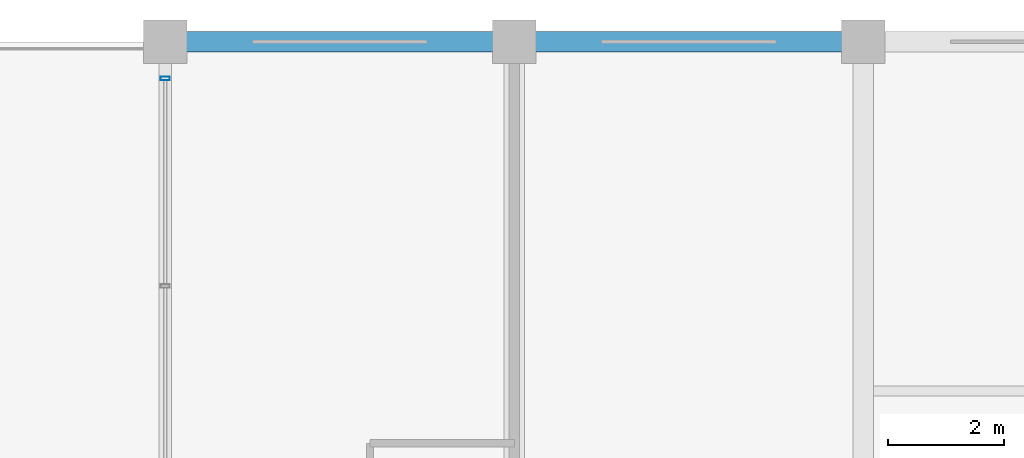
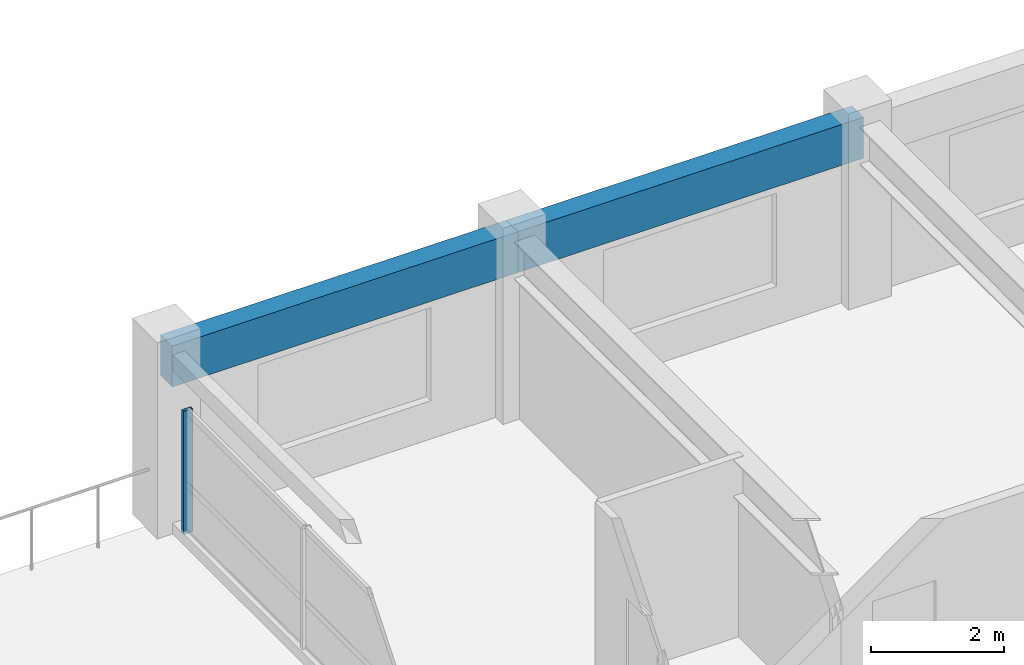
# One storey, part 13 of 21: 2 beams, 1 member, 1 element without a shape of its own.
"""IFC4 building model written with IfcOpenShell, lengths in metres."""

from ifc_helpers import new_model, si_unit, direction, frame, origin, origin_2d, place, context, subcontext, project, spatial, rectangle, hollow_rectangle, extrude, material, material_profile, profile_set, type_object, element, aggregate, save


model = new_model("IFC4")

# Units and contexts
model_context = context("Model", 3, precision=1e-05, world=origin(), true_north=direction((0.0, 1.0)))
body_context = subcontext(model_context, "Body", "Model", "MODEL_VIEW")
ifc_project = project(units=[si_unit("LENGTHUNIT", "METRE"), si_unit("AREAUNIT", "SQUARE_METRE"), si_unit("VOLUMEUNIT", "CUBIC_METRE"), si_unit("PLANEANGLEUNIT", "RADIAN"), si_unit("MASSUNIT", "GRAM", prefix="KILO")], contexts=[model_context])

# Site, building, storey
site_placement = place(None, origin())
site = spatial("IfcSite", under=ifc_project, at=site_placement, CompositionType="ELEMENT")
building_placement = place(site_placement, origin())
building = spatial("IfcBuilding", under=site, at=building_placement, Name="Kaldorvane Square Convention Centre", CompositionType="ELEMENT")
storey_placement = place(building_placement, frame((0.0, 0.0, 49.19999694824219)))
storey = spatial("IfcBuildingStorey", under=building, at=storey_placement, Name="L11", CompositionType="ELEMENT", Elevation=49.19999694824219)

# Beams
ifc_material_1 = material(Name="Concrete f'c = 42 MPa (Normalweight)", Category="concrete")
ifc_material_profile_1 = material_profile(ifc_material_1, rectangle(XDim=0.350006103515625, YDim=0.75, at=origin_2d()), Name="RCSP750X350")
ifc_profile_set_1 = profile_set([ifc_material_profile_1], Name="Concrete f'c = 42 MPa (Normalweight)")
beam_type = type_object("IfcBeamType", Name="BM-SP-RC750", PredefinedType="SPANDREL", material=ifc_profile_set_1)
for number, where, z_axis, x_axis, name in (
    (1, (30.0, 117.0, 2.9109954833984375), (1.0, 0.0, 0.0), (0.0, 1.0, 0.0), "Perimeter Spandrel (L11)"),
    (2, (36.0, 117.0, 2.9109954833984375), (1.0, 0.0, 0.0), (0.0, 1.0, 0.0), "Perimeter Spandrel (L11)"),
):
    element("IfcBeam", number, at=place(storey_placement, frame(where, z_axis=z_axis, x_axis=x_axis)), inside=storey, type_object=beam_type, Name=name, PredefinedType="SPANDREL", context=body_context, shape_type="SweptSolid", body=[
        extrude(rectangle(XDim=0.350006103515625, YDim=0.75, at=origin_2d()), origin(), (0.0, 0.0, 1.0), 6.0),
    ])

# Curtain wall, member
ifc_material_2 = material(Name="Anodized Aluminum and Low-E Insulated Glazing", Category="aluminium")
curtain_wall_type = type_object("IfcCurtainWallType", Name="CW-UNI-HTL-B", PredefinedType="USERDEFINED", material=ifc_material_2)
curtain_wall_placement = place(storey_placement, origin())
curtain_wall = element("IfcCurtainWall", 3, at=curtain_wall_placement, inside=storey, type_object=curtain_wall_type, Name="Curtain Wall CW-11 (L11)", ObjectType="UNITISED GLAZING", PredefinedType="USERDEFINED")
ifc_material_profile_2 = material_profile(ifc_material_2, hollow_rectangle(XDim=0.05999755859375, YDim=0.160003662109375, WallThickness=0.003204345703125, at=origin_2d()), Name="CWM-160X60")
ifc_profile_set_2 = profile_set([ifc_material_profile_2], Name="Anodized Aluminum and Low-E Insulated Glazing")
member_type = type_object("IfcMemberType", Name="CW-MUL-160", PredefinedType="MULLION", material=ifc_profile_set_2)
member_placement = place(storey_placement, frame((30.0, 116.3699951171875, 0.1500091552734375), z_axis=(0.0, 0.0, 1.0), x_axis=(0.0, -1.0, 0.0)))
member = element("IfcMember", 4, at=member_placement, type_object=member_type, Name="CW-11 mullion 1", PredefinedType="MULLION", context=body_context, shape_type="SweptSolid", body=[
    extrude(hollow_rectangle(XDim=0.05999755859375, YDim=0.160003662109375, WallThickness=0.003204345703125, at=origin_2d()), origin(), (0.0, 0.0, 1.0), 2.2599945068359375),
])
aggregate(curtain_wall, [member])

save(model, "model.ifc")
